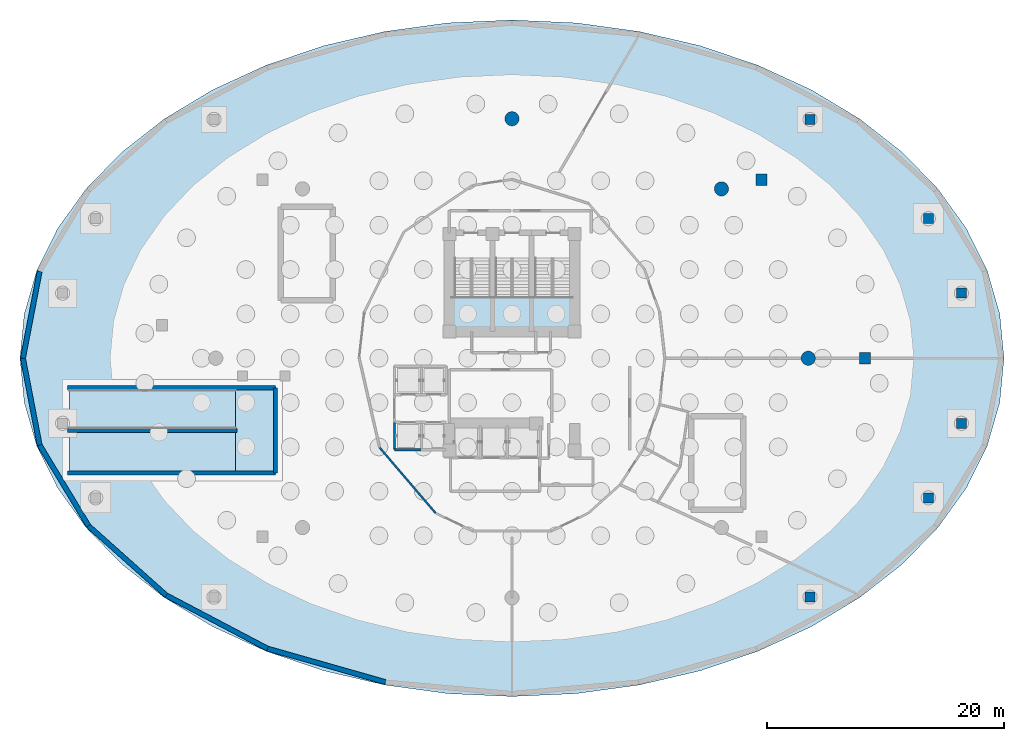
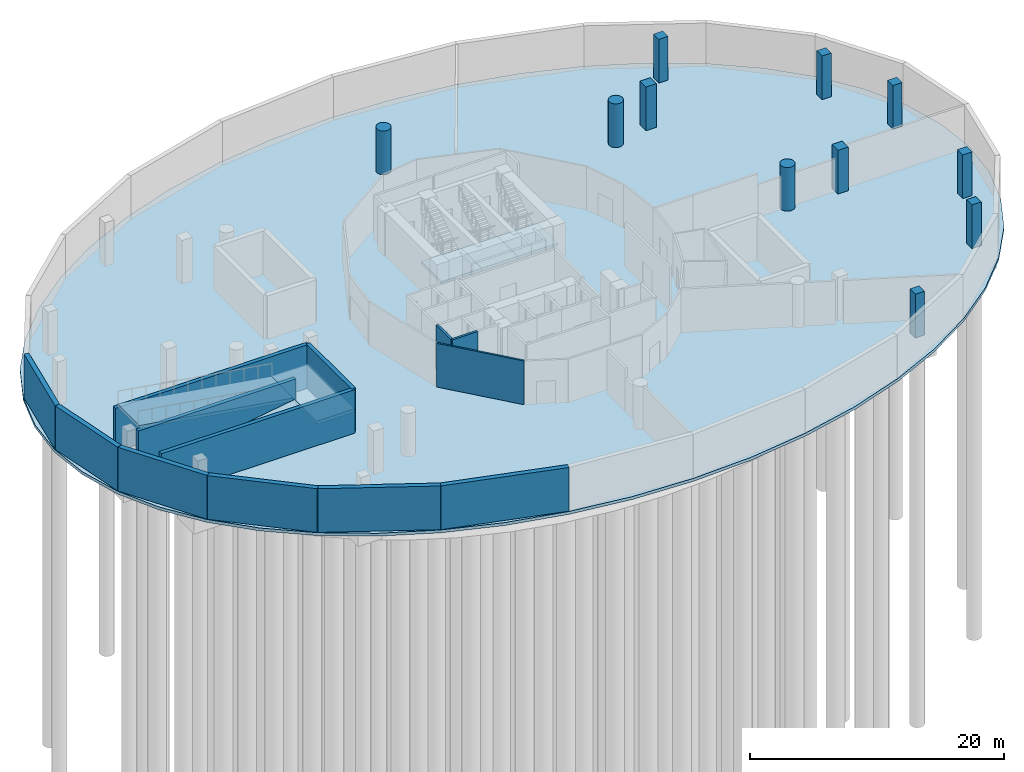
# One storey, part 2 of 9: 13 walls, 11 columns, 7 slabs, 3 elements without a shape of their own.
"""IFC4 building model written with IfcOpenShell, lengths in metres."""

from ifc_helpers import new_model, si_unit, direction, frame, frame_2d, origin, origin_2d, place, context, subcontext, project, spatial, polyline, rectangle, circle, outline, extrude, material, layer, layer_set, material_profile, profile_set, type_object, element, aggregate, save


model = new_model("IFC4")

# Units and contexts
model_context = context("Model", 3, precision=1e-05, world=origin(), true_north=direction((0.0, 1.0)))
body_context = subcontext(model_context, "Body", "Model", "MODEL_VIEW")
ifc_project = project(units=[si_unit("LENGTHUNIT", "METRE"), si_unit("AREAUNIT", "SQUARE_METRE"), si_unit("VOLUMEUNIT", "CUBIC_METRE"), si_unit("PLANEANGLEUNIT", "RADIAN"), si_unit("MASSUNIT", "GRAM", prefix="KILO")], contexts=[model_context])

# Site, building, storey
site_placement = place(None, origin())
site = spatial("IfcSite", under=ifc_project, at=site_placement, CompositionType="ELEMENT")
building_placement = place(site_placement, origin())
building = spatial("IfcBuilding", under=site, at=building_placement, Name="Nuhasar Tower", CompositionType="ELEMENT")
storey_placement = place(building_placement, frame((0.0, 0.0, -9.0)))
storey = spatial("IfcBuildingStorey", under=building, at=storey_placement, Name="B2", CompositionType="ELEMENT", Elevation=-9.0)

# Columns
ifc_material_1 = material(Name="Concrete C80/95", Category="concrete")
ifc_material_profile_1 = material_profile(ifc_material_1, circle(Radius=0.60009765625, at=origin_2d()), Name="CFT1200")
ifc_profile_set_1 = profile_set([ifc_material_profile_1], Name="Concrete C80/95")
column_type_1 = type_object("IfcColumnType", Name="COL-CFT-1200", PredefinedType="COLUMN", material=ifc_profile_set_1)
for number, where, z_axis, x_axis, name in (
    (1, (64.050048828125, 26.800048828125, 0.0), (0.0, 0.0, 1.0), (1.0, 0.0, 0.0), "B2 Perimeter Composite Column TC-01"),
    (2, (56.712890625, 41.118896484375, 0.0), (0.0, 0.0, 1.0), (1.0, 0.0, 0.0), "B2 Perimeter Composite Column TC-04"),
    (3, (39.0, 47.050048828125, 0.0), (0.0, 0.0, 1.0), (1.0, 0.0, 0.0), "B2 Perimeter Composite Column TC-07"),
):
    element("IfcColumn", number, at=place(storey_placement, frame(where, z_axis=z_axis, x_axis=x_axis)), inside=storey, type_object=column_type_1, Name=name, PredefinedType="COLUMN", context=body_context, shape_type="SweptSolid", body=[
        extrude(circle(Radius=0.60009765625, at=origin_2d()), origin(), (0.0, 0.0, 1.0), 4.199951171875),
    ])
ifc_material_2 = material(Name="Concrete C50/60", Category="concrete")
ifc_material_profile_2 = material_profile(ifc_material_2, rectangle(XDim=0.85009765625, YDim=0.85009765625, at=origin_2d()), Name="RC850X850")
ifc_profile_set_2 = profile_set([ifc_material_profile_2], Name="Concrete C50/60")
column_type_2 = type_object("IfcColumnType", Name="COL-POD-850", PredefinedType="COLUMN", material=ifc_profile_set_2)
for number, where, z_axis, x_axis, name in (
    (4, (77.0, 21.300048828125, 0.0), (0.0, 0.0, 1.0), (1.0, 0.0, 0.0), "B2 Substructure Cap Column SC-04"),
    (5, (74.199951171875, 15.0, 0.0), (0.0, 0.0, 1.0), (1.0, 0.0, 0.0), "B2 Substructure Cap Column SC-05"),
    (6, (64.199951171875, 6.60009765625, 0.0), (0.0, 0.0, 1.0), (1.0, 0.0, 0.0), "B2 Substructure Cap Column SC-06"),
    (7, (77.0, 32.300048828125, 0.0), (0.0, 0.0, 1.0), (1.0, 0.0, 0.0), "B2 Substructure Cap Column SC-07"),
    (8, (74.199951171875, 38.60009765625, 0.0), (0.0, 0.0, 1.0), (1.0, 0.0, 0.0), "B2 Substructure Cap Column SC-08"),
    (9, (64.199951171875, 47.0, 0.0), (0.0, 0.0, 1.0), (1.0, 0.0, 0.0), "B2 Substructure Cap Column SC-09"),
):
    element("IfcColumn", number, at=place(storey_placement, frame(where, z_axis=z_axis, x_axis=x_axis)), inside=storey, type_object=column_type_2, Name=name, PredefinedType="COLUMN", context=body_context, shape_type="SweptSolid", body=[
        extrude(rectangle(XDim=0.85009765625, YDim=0.85009765625, at=origin_2d()), origin(), (0.0, 0.0, 1.0), 4.199951171875),
    ])
ifc_material_3 = material(Name="Concrete C60/75", Category="concrete")
ifc_material_profile_3 = material_profile(ifc_material_3, rectangle(XDim=0.949951171875, YDim=0.949951171875, at=origin_2d()), Name="RC950X950")
ifc_profile_set_3 = profile_set([ifc_material_profile_3], Name="Concrete C60/75")
column_type_3 = type_object("IfcColumnType", Name="COL-POD-950", PredefinedType="COLUMN", material=ifc_profile_set_3)
for number, where, z_axis, x_axis, name in (
    (10, (68.85009765625, 26.800048828125, 0.0), (0.0, 0.0, 1.0), (1.0, 0.0, 0.0), "B2 Podium Perimeter Column PC-01"),
    (11, (60.10693359375, 41.89697265625, 0.0), (0.0, 0.0, 1.0), (1.0, 0.0, 0.0), "B2 Podium Perimeter Column PC-02"),
):
    element("IfcColumn", number, at=place(storey_placement, frame(where, z_axis=z_axis, x_axis=x_axis)), inside=storey, type_object=column_type_3, Name=name, PredefinedType="COLUMN", context=body_context, shape_type="SweptSolid", body=[
        extrude(rectangle(XDim=0.949951171875, YDim=0.949951171875, at=origin_2d()), origin(), (0.0, 0.0, 1.0), 4.199951171875),
    ])

# Slabs
ifc_layer_1 = layer(ifc_material_2, 0.280029296875)
ifc_layer_set_1 = layer_set([ifc_layer_1], Name="Concrete C50/60")
slab_type_1 = type_object("IfcSlabType", Name="SLB-BASE-280", PredefinedType="BASESLAB", material=ifc_layer_set_1)
slab_1_placement = place(storey_placement, frame((0.0, 0.0, -0.280029296875)))
element("IfcSlab", 12, at=slab_1_placement, inside=storey, type_object=slab_type_1, Name="B2 Structural Slab", PredefinedType="BASESLAB", context=body_context, shape_type="SweptSolid", body=[
    extrude(outline(polyline([(80.60009765625, 26.800048828125), (80.243896484375, 30.532958984375), (79.18310546875, 34.201904296875), (77.43310546875, 37.7451171875), (75.027099609375, 41.10009765625), (72.0029296875, 44.2109375), (68.416015625, 47.02294921875), (64.323974609375, 49.489990234375), (59.800048828125, 51.568115234375), (54.919921875, 53.222900390625), (49.76708984375, 54.425048828125), (44.429931640625, 55.155029296875), (39.0, 55.39990234375), (33.570068359375, 55.155029296875), (28.23291015625, 54.425048828125), (23.080078125, 53.222900390625), (18.199951171875, 51.568115234375), (13.676025390625, 49.489990234375), (9.583984375, 47.02294921875), (5.9970703125, 44.2109375), (2.972900390625, 41.10009765625), (0.56689453125, 37.7451171875), (-1.18310546875, 34.201904296875), (-2.243896484375, 30.532958984375), (-2.60009765625, 26.800048828125), (-2.243896484375, 23.06689453125), (-1.18310546875, 19.39794921875), (0.56689453125, 15.85498046875), (2.972900390625, 12.5), (5.9970703125, 9.388916015625), (9.583984375, 6.576904296875), (13.676025390625, 4.110107421875), (18.199951171875, 2.031982421875), (23.080078125, 0.376953125), (28.23291015625, -0.824951171875), (33.570068359375, -1.554931640625), (39.0, -1.800048828125), (44.429931640625, -1.554931640625), (49.76708984375, -0.824951171875), (54.919921875, 0.376953125), (59.800048828125, 2.031982421875), (64.323974609375, 4.110107421875), (68.416015625, 6.576904296875), (72.0029296875, 9.388916015625), (75.027099609375, 12.5), (77.43310546875, 15.85498046875), (79.18310546875, 19.39794921875), (80.243896484375, 23.06689453125), (80.60009765625, 26.800048828125)])), origin(), (0.0, 0.0, 1.0), 0.280029296875),
])
ifc_material_4 = material(Name="Concrete C45/55", Category="concrete")
ifc_layer_2 = layer(ifc_material_4, 0.300048828125)
ifc_layer_set_2 = layer_set([ifc_layer_2], Name="Concrete C45/55")
slab_type_2 = type_object("IfcSlabType", Name="SLB-RAMP-300", PredefinedType="USERDEFINED", material=ifc_layer_set_2)
for number, where, z_axis, x_axis, name in (
    (13, (1.60009765625, 17.14990234375, 0.0), (-0.158678095384, 0.0, 0.987330371277), (0.987330371277, 0.0, 0.158678095384), "B2 Vehicular Ramp Flight 1A"),
    (14, (15.60009765625, 24.25, 2.25), (0.158678095384, 0.0, 0.987330371277), (-0.987330371277, 0.0, 0.158678095384), "B2 Vehicular Ramp Flight 1B"),
):
    element("IfcSlab", number, at=place(storey_placement, frame(where, z_axis=z_axis, x_axis=x_axis)), inside=storey, type_object=slab_type_2, Name=name, ObjectType="RAMP", PredefinedType="USERDEFINED", context=body_context, shape_type="SweptSolid", body=[
        extrude(outline(polyline([(0.0, 0.0), (14.179650912487233, 0.0), (14.179650912487233, 3.5), (0.0, 3.5), (0.0, 0.0)])), origin(), (-0.158678095384, 0.0, -0.987330371277), 0.303955078125),
    ])
ifc_layer_3 = layer(ifc_material_2, 0.300048828125)
ifc_layer_set_3 = layer_set([ifc_layer_3], Name="Concrete C50/60")
slab_type_3 = type_object("IfcSlabType", Name="SLB-RAMP-LND-300", PredefinedType="LANDING", material=ifc_layer_set_3)
slab_2_placement = place(storey_placement, frame((0.0, 0.0, 1.949951171875)))
element("IfcSlab", 15, at=slab_2_placement, inside=storey, type_object=slab_type_3, Name="B2 Vehicular Ramp Mid Landing 1", PredefinedType="LANDING", context=body_context, shape_type="SweptSolid", body=[
    extrude(outline(polyline([(15.60009765625, 17.050048828125), (19.050048828125, 17.050048828125), (19.050048828125, 24.35009765625), (15.60009765625, 24.35009765625), (15.60009765625, 17.050048828125)])), origin(), (0.0, 0.0, 1.0), 0.300048828125),
])

# Stair, slab
stair_type_1 = type_object("IfcStairType", Name="STR-ST-01-2F-26R-1731", PredefinedType="HALF_TURN_STAIR", material=ifc_material_4)
stair_1_placement = place(storey_placement, origin())
stair_1 = element("IfcStair", 16, at=stair_1_placement, inside=storey, type_object=stair_type_1, Name="B2 Exit Stair ST-01", PredefinedType="HALF_TURN_STAIR")
ifc_layer_4 = layer(ifc_material_4, 0.239990234375)
ifc_layer_set_4 = layer_set([ifc_layer_4], Name="Concrete C45/55")
slab_type_4 = type_object("IfcSlabType", Name="SLB-STAIR-LND-240", PredefinedType="LANDING", material=ifc_layer_set_4)
slab_3_placement = place(storey_placement, frame((0.0, 0.0, 2.010009765625)))
slab_3 = element("IfcSlab", 17, at=slab_3_placement, type_object=slab_type_4, Name="ST-01 landing 1", PredefinedType="LANDING", context=body_context, shape_type="SweptSolid", body=[
    extrude(outline(polyline([(33.699951171875, 28.75), (37.35009765625, 28.75), (37.35009765625, 31.9599609375), (33.699951171875, 31.9599609375), (33.699951171875, 28.75)])), origin(), (0.0, 0.0, 1.0), 0.239990234375),
])
aggregate(stair_1, [slab_3])

stair_type_2 = type_object("IfcStairType", Name="STR-ST-03-2F-26R-1731", PredefinedType="HALF_TURN_STAIR", material=ifc_material_4)
stair_2_placement = place(storey_placement, origin())
stair_2 = element("IfcStair", 18, at=stair_2_placement, inside=storey, type_object=stair_type_2, Name="B2 Exit Stair ST-03", PredefinedType="HALF_TURN_STAIR")
slab_4_placement = place(storey_placement, frame((0.0, 0.0, 2.010009765625)))
slab_4 = element("IfcSlab", 19, at=slab_4_placement, type_object=slab_type_4, Name="ST-03 landing 1", PredefinedType="LANDING", context=body_context, shape_type="SweptSolid", body=[
    extrude(outline(polyline([(37.35009765625, 28.75), (40.64990234375, 28.75), (40.64990234375, 31.9599609375), (37.35009765625, 31.9599609375), (37.35009765625, 28.75)])), origin(), (0.0, 0.0, 1.0), 0.239990234375),
])
aggregate(stair_2, [slab_4])

stair_type_3 = type_object("IfcStairType", Name="STR-ST-02-2F-26R-1731", PredefinedType="HALF_TURN_STAIR", material=ifc_material_4)
stair_3_placement = place(storey_placement, origin())
stair_3 = element("IfcStair", 20, at=stair_3_placement, inside=storey, type_object=stair_type_3, Name="B2 Exit Stair ST-02", PredefinedType="HALF_TURN_STAIR")
slab_5_placement = place(storey_placement, frame((0.0, 0.0, 2.010009765625)))
slab_5 = element("IfcSlab", 21, at=slab_5_placement, type_object=slab_type_4, Name="ST-02 landing 1", PredefinedType="LANDING", context=body_context, shape_type="SweptSolid", body=[
    extrude(outline(polyline([(40.64990234375, 28.75), (44.300048828125, 28.75), (44.300048828125, 31.9599609375), (40.64990234375, 31.9599609375), (40.64990234375, 28.75)])), origin(), (0.0, 0.0, 1.0), 0.239990234375),
])
aggregate(stair_3, [slab_5])

# Walls
ifc_material_5 = material(Name="Gypsum Board", Category="gypsum")
ifc_layer_5 = layer(ifc_material_5, 0.159912109375)
ifc_layer_set_5 = layer_set([ifc_layer_5], Name="Gypsum Board")
wall_type_1 = type_object("IfcWallType", Name="WL-CORR-160", PredefinedType="PARTITIONING", material=ifc_layer_set_5)
wall_1_placement = place(storey_placement, frame((27.81103515625, 19.239990234375, 0.0), z_axis=(0.0, 0.0, 1.0), x_axis=(0.649652680018, -0.760231145998, 0.0)))
element("IfcWall", 22, at=wall_1_placement, inside=storey, type_object=wall_type_1, Name="B2 Interior Partition CORR-28", PredefinedType="PARTITIONING", context=body_context, shape_type="SweptSolid", body=[
    extrude(rectangle(XDim=7.279296875, YDim=0.159912109375, at=frame_2d((3.6396484375, 0.0))), origin(), (0.0, 0.0, 1.0), 4.199951171875),
])
ifc_layer_6 = layer(ifc_material_2, 0.419921875)
ifc_layer_set_6 = layer_set([ifc_layer_6], Name="Concrete C50/60")
wall_type_2 = type_object("IfcWallType", Name="WL-DIAPH-420", PredefinedType="SHEAR", material=ifc_layer_set_6)
wall_2_placement = place(storey_placement, frame((-0.94091796875, 34.137939453125, 0.0), z_axis=(0.0, 0.0, 1.0), x_axis=(-0.188595316219, -0.982054889861, 0.0)))
element("IfcWall", 23, at=wall_2_placement, inside=storey, type_object=wall_type_2, Name="B2 Perimeter Diaphragm Retaining Wall 12 DW-420", PredefinedType="SHEAR", context=body_context, shape_type="SweptSolid", body=[
    extrude(rectangle(XDim=7.471923828125, YDim=0.419921875, at=frame_2d((3.73583984375, 0.0))), origin(), (0.0, 0.0, 1.0), 4.199951171875),
])
wall_3_placement = place(storey_placement, frame((-2.35009765625, 26.800048828125, 0.0), z_axis=(0.0, 0.0, 1.0), x_axis=(0.188589264795, -0.982056051966, 0.0)))
element("IfcWall", 24, at=wall_3_placement, inside=storey, type_object=wall_type_2, Name="B2 Perimeter Diaphragm Retaining Wall 13 DW-420", PredefinedType="SHEAR", context=body_context, shape_type="SweptSolid", body=[
    extrude(rectangle(XDim=7.47216796875, YDim=0.419921875, at=frame_2d((3.736083984375, 0.0))), origin(), (0.0, 0.0, 1.0), 4.199951171875),
])
wall_4_placement = place(storey_placement, frame((-0.94091796875, 19.4619140625, 0.0), z_axis=(0.0, 0.0, 1.0), x_axis=(0.517136164524, -0.855903141332, 0.0)))
element("IfcWall", 25, at=wall_4_placement, inside=storey, type_object=wall_type_2, Name="B2 Perimeter Diaphragm Retaining Wall 14 DW-420", PredefinedType="SHEAR", context=body_context, shape_type="SweptSolid", body=[
    extrude(rectangle(XDim=7.988037109375, YDim=0.419921875, at=frame_2d((3.994140625, 0.0))), origin(), (0.0, 0.0, 1.0), 4.199951171875),
])
wall_5_placement = place(storey_placement, frame((3.18994140625, 12.625, 0.0), z_axis=(0.0, 0.0, 1.0), x_axis=(0.745707061302, -0.666273951707, 0.0)))
element("IfcWall", 26, at=wall_5_placement, inside=storey, type_object=wall_type_2, Name="B2 Perimeter Diaphragm Retaining Wall 15 DW-420", PredefinedType="SHEAR", context=body_context, shape_type="SweptSolid", body=[
    extrude(rectangle(XDim=8.811767578125, YDim=0.419921875, at=frame_2d((4.40576171875, 0.0))), origin(), (0.0, 0.0, 1.0), 4.199951171875),
])
wall_6_placement = place(storey_placement, frame((9.760986328125, 6.75390625, 0.0), z_axis=(0.0, 0.0, 1.0), x_axis=(0.884981697028, -0.46562581106, 0.0)))
element("IfcWall", 27, at=wall_6_placement, inside=storey, type_object=wall_type_2, Name="B2 Perimeter Diaphragm Retaining Wall 16 DW-420", PredefinedType="SHEAR", context=body_context, shape_type="SweptSolid", body=[
    extrude(rectangle(XDim=9.677001953125, YDim=0.419921875, at=frame_2d((4.83837890625, 0.0))), origin(), (0.0, 0.0, 1.0), 4.199951171875),
])
wall_7_placement = place(storey_placement, frame((18.324951171875, 2.248046875, 0.0), z_axis=(0.0, 0.0, 1.0), x_axis=(0.961967006375, -0.273165661541, 0.0)))
element("IfcWall", 28, at=wall_7_placement, inside=storey, type_object=wall_type_2, Name="B2 Perimeter Diaphragm Retaining Wall 17 DW-420", PredefinedType="SHEAR", context=body_context, shape_type="SweptSolid", body=[
    extrude(rectangle(XDim=10.367431640625, YDim=0.419921875, at=frame_2d((5.18359375, 0.0))), origin(), (0.0, 0.0, 1.0), 4.199951171875),
])
ifc_layer_7 = layer(ifc_material_2, 0.35009765625)
ifc_layer_set_7 = layer_set([ifc_layer_7], Name="Concrete C50/60")
wall_type_3 = type_object("IfcWallType", Name="WL-RAMP-350", PredefinedType="SHEAR", material=ifc_layer_set_7)
wall_8_placement = place(storey_placement, frame((1.39990234375, 17.10009765625, 0.0), z_axis=(0.0, 0.0, 1.0), x_axis=(1.0, 0.0, 0.0)))
element("IfcWall", 29, at=wall_8_placement, inside=storey, type_object=wall_type_3, Name="B2 Ramp Support Shear Wall S", PredefinedType="SHEAR", context=body_context, shape_type="SweptSolid", body=[
    extrude(rectangle(XDim=17.60009765625, YDim=0.35009765625, at=frame_2d((8.800048828125, 0.0))), origin(), (0.0, 0.0, 1.0), 4.179931640625),
])
wall_9_placement = place(storey_placement, frame((19.0, 17.10009765625, 0.0), z_axis=(0.0, 0.0, 1.0), x_axis=(0.0, 1.0, 0.0)))
element("IfcWall", 30, at=wall_9_placement, inside=storey, type_object=wall_type_3, Name="B2 Ramp Support Shear Wall E", PredefinedType="SHEAR", context=body_context, shape_type="SweptSolid", body=[
    extrude(rectangle(XDim=7.199951171875, YDim=0.35009765625, at=frame_2d((3.60009765625, 0.0))), origin(), (0.0, 0.0, 1.0), 4.179931640625),
])
wall_10_placement = place(storey_placement, frame((1.39990234375, 24.300048828125, 0.0), z_axis=(0.0, 0.0, 1.0), x_axis=(1.0, 0.0, 0.0)))
element("IfcWall", 31, at=wall_10_placement, inside=storey, type_object=wall_type_3, Name="B2 Ramp Support Shear Wall N", PredefinedType="SHEAR", context=body_context, shape_type="SweptSolid", body=[
    extrude(rectangle(XDim=17.60009765625, YDim=0.35009765625, at=frame_2d((8.800048828125, 0.0))), origin(), (0.0, 0.0, 1.0), 4.179931640625),
])
wall_11_placement = place(storey_placement, frame((1.39990234375, 20.699951171875, 0.0), z_axis=(0.0, 0.0, 1.0), x_axis=(1.0, 0.0, 0.0)))
element("IfcWall", 32, at=wall_11_placement, inside=storey, type_object=wall_type_3, Name="B2 Ramp Support Shear Wall M", PredefinedType="SHEAR", context=body_context, shape_type="SweptSolid", body=[
    extrude(rectangle(XDim=14.35009765625, YDim=0.35009765625, at=frame_2d((7.175048828125, 0.0))), origin(), (0.0, 0.0, 1.0), 4.179931640625),
])
ifc_layer_8 = layer(ifc_material_4, 0.199951171875)
ifc_layer_set_8 = layer_set([ifc_layer_8], Name="Concrete C45/55")
wall_type_4 = type_object("IfcWallType", Name="WL-SHAFT-200", PredefinedType="SOLIDWALL", material=ifc_layer_set_8)
for number, where, z_axis, x_axis, name in (
    (33, (29.070068359375, 19.070068359375, 0.0), (0.0, 0.0, 1.0), (1.0, 0.0, 0.0), "B2 Interior Partition SHF-PL-L03-S"),
    (34, (29.070068359375, 19.070068359375, 0.0), (0.0, 0.0, 1.0), (0.0, 1.0, 0.0), "B2 Interior Partition SHF-PL-L03-W"),
):
    element("IfcWall", number, at=place(storey_placement, frame(where, z_axis=z_axis, x_axis=x_axis)), inside=storey, type_object=wall_type_4, Name=name, PredefinedType="SOLIDWALL", context=body_context, shape_type="SweptSolid", body=[
        extrude(rectangle(XDim=2.309814453125, YDim=0.199951171875, at=frame_2d((1.15478515625, 0.0))), origin(), (0.0, 0.0, 1.0), 4.199951171875),
    ])

save(model, "model.ifc")
